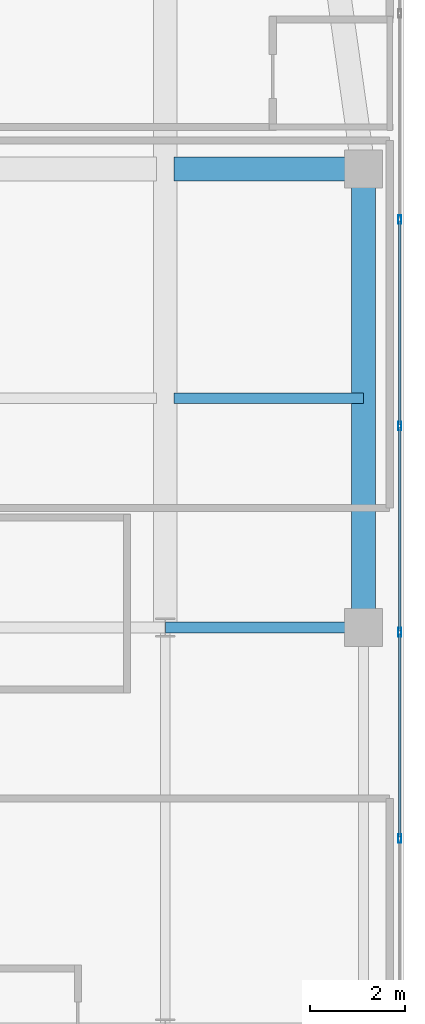
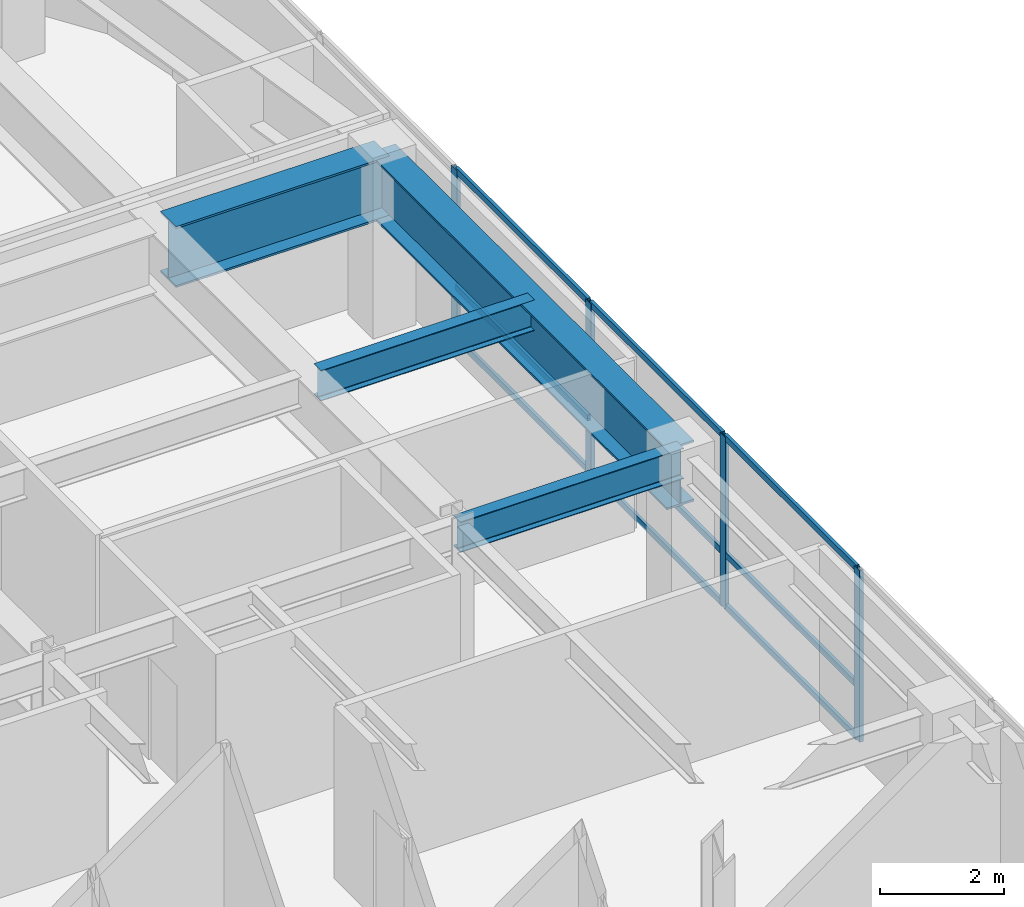
# One storey, part 8 of 20: 13 members, 4 beams, 1 element without a shape of its own.
"""IFC4 building model written with IfcOpenShell, lengths in metres."""

from ifc_helpers import new_model, si_unit, direction, frame, origin, origin_2d, place, context, subcontext, project, spatial, hollow_rectangle, i_section, extrude, source, transform, mapped, material, layer, layer_set, material_profile, profile_set, type_object, type_shapes, element, aggregate, save


model = new_model("IFC4")

# Units and contexts
model_context = context("Model", 3, precision=1e-05, world=origin(), true_north=direction((0.0, 1.0)))
body_context = subcontext(model_context, "Body", "Model", "MODEL_VIEW")
ifc_project = project(units=[si_unit("LENGTHUNIT", "METRE"), si_unit("AREAUNIT", "SQUARE_METRE"), si_unit("VOLUMEUNIT", "CUBIC_METRE"), si_unit("PLANEANGLEUNIT", "RADIAN"), si_unit("MASSUNIT", "GRAM", prefix="KILO")], contexts=[model_context])

# Site, building, storey
site_placement = place(None, origin())
site = spatial("IfcSite", under=ifc_project, at=site_placement, CompositionType="ELEMENT")
building_placement = place(site_placement, origin())
building = spatial("IfcBuilding", under=site, at=building_placement, Name="Tolvann Quenvar Hotel", CompositionType="ELEMENT")
storey_placement = place(building_placement, frame((0.0, 0.0, 171.89990234375)))
storey = spatial("IfcBuildingStorey", under=building, at=storey_placement, Name="L45", CompositionType="ELEMENT", Elevation=171.89990234375)

# Beams
ifc_material_1 = material(Name="Steel Grade 350", Category="steel")
ifc_material_profile_1 = material_profile(ifc_material_1, i_section(OverallWidth=0.5, OverallDepth=1.199951171875, WebThickness=0.01611328125, FlangeThickness=0.0400390625, at=origin_2d()), Name="1200WB455")
ifc_profile_set_1 = profile_set([ifc_material_profile_1], Name="Steel Grade 350")
beam_type_1 = type_object("IfcBeamType", Name="BM_TG_1200WB455", PredefinedType="USERDEFINED", material=ifc_profile_set_1)
shared_shape_1 = source(origin(), body_context, "Body", "SweptSolid", [
    extrude(i_section(OverallWidth=0.5, OverallDepth=1.199951171875, WebThickness=0.01611328125, FlangeThickness=0.0400390625, at=origin_2d()), origin(), (0.0, 0.0, 1.0), 9.60009765625),
])
beam_1_placement = place(storey_placement, frame((53.550048828125, 24.39990234375, 2.77001953125), z_axis=(0.0, 1.0, 0.0), x_axis=(-1.0, 0.0, 0.0)))
element("IfcBeam", 1, at=beam_1_placement, inside=storey, type_object=beam_type_1, Name="BM-L45-FLK-E1", ObjectType="TRANSFER GIRDER", PredefinedType="USERDEFINED", context=body_context, shape_type="MappedRepresentation", body=[
    mapped(shared_shape_1, transform((0.0, 0.0, 0.0), x_axis=(1.0, 0.0, 0.0), y_axis=(0.0, 1.0, 0.0), z_axis=(0.0, 0.0, 1.0), scale=1.0)),
])
shared_shape_2 = source(origin(), body_context, "Body", "SweptSolid", [
    extrude(i_section(OverallWidth=0.5, OverallDepth=1.199951171875, WebThickness=0.01611328125, FlangeThickness=0.0400390625, at=origin_2d()), origin(), (0.0, 0.0, 1.0), 3.969970703125),
])
type_shapes(beam_type_1, [shared_shape_1, shared_shape_2])
beam_2_placement = place(storey_placement, frame((49.580078125, 34.0, 2.77001953125), z_axis=(1.0, 0.0, 0.0), x_axis=(0.0, 1.0, 0.0)))
element("IfcBeam", 2, at=beam_2_placement, inside=storey, type_object=beam_type_1, Name="BM-L45-CTE-JD6C", ObjectType="TRANSFER GIRDER", PredefinedType="USERDEFINED", context=body_context, shape_type="MappedRepresentation", body=[
    mapped(shared_shape_2, transform((0.0, 0.0, 0.0), x_axis=(1.0, 0.0, 0.0), y_axis=(0.0, 1.0, 0.0), z_axis=(0.0, 0.0, 1.0), scale=1.0)),
])
ifc_material_profile_2 = material_profile(ifc_material_1, i_section(OverallWidth=0.22802734375, OverallDepth=0.60205078125, WebThickness=0.010498046875, FlangeThickness=0.014892578125, FilletRadius=0.013916015625, at=origin_2d()), Name="610UB101")
ifc_profile_set_2 = profile_set([ifc_material_profile_2], Name="Steel Grade 350")
beam_type_2 = type_object("IfcBeamType", Name="BM_GIRD_610UB101", PredefinedType="BEAM", material=ifc_profile_set_2)
shared_shape_3 = source(origin(), body_context, "Body", "SweptSolid", [
    extrude(i_section(OverallWidth=0.22802734375, OverallDepth=0.60205078125, WebThickness=0.010498046875, FlangeThickness=0.014892578125, FilletRadius=0.013916015625, at=origin_2d()), origin(), (0.0, 0.0, 1.0), 4.150146484375),
])
beam_3_placement = place(storey_placement, frame((49.39990234375, 24.39990234375, 3.069091796875), z_axis=(1.0, 0.0, 0.0), x_axis=(0.0, 1.0, 0.0)))
element("IfcBeam", 3, at=beam_3_placement, inside=storey, type_object=beam_type_2, Name="BM-L45-EW-5-I5-J5", PredefinedType="BEAM", context=body_context, shape_type="MappedRepresentation", body=[
    mapped(shared_shape_3, transform((0.0, 0.0, 0.0), x_axis=(1.0, 0.0, 0.0), y_axis=(0.0, 1.0, 0.0), z_axis=(0.0, 0.0, 1.0), scale=1.0)),
])
shared_shape_4 = source(origin(), body_context, "Body", "SweptSolid", [
    extrude(i_section(OverallWidth=0.22802734375, OverallDepth=0.60205078125, WebThickness=0.010498046875, FlangeThickness=0.014892578125, FilletRadius=0.013916015625, at=origin_2d()), origin(), (0.0, 0.0, 1.0), 3.969970703125),
])
type_shapes(beam_type_2, [shared_shape_3, shared_shape_4])
beam_4_placement = place(storey_placement, frame((49.580078125, 29.199951171875, 3.069091796875), z_axis=(1.0, 0.0, 0.0), x_axis=(0.0, 1.0, 0.0)))
element("IfcBeam", 4, at=beam_4_placement, inside=storey, type_object=beam_type_2, Name="BM-L45-EW-IJ29", PredefinedType="BEAM", context=body_context, shape_type="MappedRepresentation", body=[
    mapped(shared_shape_4, transform((0.0, 0.0, 0.0), x_axis=(1.0, 0.0, 0.0), y_axis=(0.0, 1.0, 0.0), z_axis=(0.0, 0.0, 1.0), scale=1.0)),
])

# Curtain wall, members
ifc_material_2 = material(Name="Thermally broken anodised architectural aluminium 6063-T6 and laminated low-E glass", Category="aluminium")
ifc_layer = layer(ifc_material_2, 0.179931640625)
ifc_layer_set = layer_set([ifc_layer], Name="Thermally broken anodised architectural aluminium 6063-T6 and laminated low-E glass")
curtain_wall_type = type_object("IfcCurtainWallType", Name="CW_SYS_BAND_04", PredefinedType="USERDEFINED", material=ifc_layer_set)
curtain_wall_placement = place(storey_placement, origin())
curtain_wall = element("IfcCurtainWall", 5, at=curtain_wall_placement, inside=storey, type_object=curtain_wall_type, Name="Curtain Wall CW-BAND-04 (CWR-L45-E13)", ObjectType="UNITISED CURTAIN WALL", PredefinedType="USERDEFINED")
ifc_material_3 = material(Name="Anodised architectural aluminium 6063-T6 framing", Category="aluminium")
ifc_material_profile_3 = material_profile(ifc_material_3, hollow_rectangle(XDim=0.070068359375, YDim=0.179931640625, WallThickness=0.00390625, at=origin_2d()), Name="180x70x4RHS")
ifc_profile_set_3 = profile_set([ifc_material_profile_3], Name="Anodised architectural aluminium 6063-T6 framing")
member_type_1 = type_object("IfcMemberType", Name="CW_MULL_180x70", PredefinedType="MULLION", material=ifc_profile_set_3)
shared_shape_5 = source(origin(), body_context, "Body", "SweptSolid", [
    extrude(hollow_rectangle(XDim=0.070068359375, YDim=0.179931640625, WallThickness=0.00390625, at=origin_2d()), origin(), (0.0, 0.0, 1.0), 3.3701171875),
])
type_shapes(member_type_1, [shared_shape_5])
member_1_placement = place(storey_placement, frame((54.31005859375, 19.979248046875, 0.0), z_axis=(0.0, 0.0, 1.0), x_axis=(-1.0, 0.0, 0.0)))
member_1 = element("IfcMember", 6, at=member_1_placement, type_object=member_type_1, Name="CW-BAND-04 mullion 4", PredefinedType="MULLION", context=body_context, shape_type="MappedRepresentation", body=[
    mapped(shared_shape_5, transform((0.0, 0.0, 0.0), x_axis=(1.0, 0.0, 0.0), y_axis=(0.0, 1.0, 0.0), z_axis=(0.0, 0.0, 1.0), scale=1.0)),
])
member_2_placement = place(storey_placement, frame((54.31005859375, 24.300048828125, 0.0), z_axis=(0.0, 0.0, 1.0), x_axis=(-1.0, 0.0, 0.0)))
member_2 = element("IfcMember", 7, at=member_2_placement, type_object=member_type_1, Name="CW-BAND-04 mullion 5", PredefinedType="MULLION", context=body_context, shape_type="MappedRepresentation", body=[
    mapped(shared_shape_5, transform((0.0, 0.0, 0.0), x_axis=(1.0, 0.0, 0.0), y_axis=(0.0, 1.0, 0.0), z_axis=(0.0, 0.0, 1.0), scale=1.0)),
])
member_3_placement = place(storey_placement, frame((54.31005859375, 28.62060546875, 0.0), z_axis=(0.0, 0.0, 1.0), x_axis=(-1.0, 0.0, 0.0)))
member_3 = element("IfcMember", 8, at=member_3_placement, type_object=member_type_1, Name="CW-BAND-04 mullion 6", PredefinedType="MULLION", context=body_context, shape_type="MappedRepresentation", body=[
    mapped(shared_shape_5, transform((0.0, 0.0, 0.0), x_axis=(1.0, 0.0, 0.0), y_axis=(0.0, 1.0, 0.0), z_axis=(0.0, 0.0, 1.0), scale=1.0)),
])
member_4_placement = place(storey_placement, frame((54.31005859375, 32.94140625, 0.0), z_axis=(0.0, 0.0, 1.0), x_axis=(-1.0, 0.0, 0.0)))
member_4 = element("IfcMember", 9, at=member_4_placement, type_object=member_type_1, Name="CW-BAND-04 mullion 7", PredefinedType="MULLION", context=body_context, shape_type="MappedRepresentation", body=[
    mapped(shared_shape_5, transform((0.0, 0.0, 0.0), x_axis=(1.0, 0.0, 0.0), y_axis=(0.0, 1.0, 0.0), z_axis=(0.0, 0.0, 1.0), scale=1.0)),
])
ifc_material_profile_4 = material_profile(ifc_material_3, hollow_rectangle(XDim=0.06005859375, YDim=0.1201171875, WallThickness=0.00341796875, at=origin_2d()), Name="120x60x3.5RHS")
ifc_profile_set_4 = profile_set([ifc_material_profile_4], Name="Anodised architectural aluminium 6063-T6 framing")
member_type_2 = type_object("IfcMemberType", Name="CW_TRAN_120x60", PredefinedType="USERDEFINED", material=ifc_profile_set_4)
shared_shape_6 = source(origin(), body_context, "Body", "SweptSolid", [
    extrude(hollow_rectangle(XDim=0.06005859375, YDim=0.1201171875, WallThickness=0.00341796875, at=origin_2d()), origin(), (0.0, 0.0, 1.0), 4.250732421875),
])
member_5_placement = place(storey_placement, frame((54.31005859375, 24.3349609375, 0.030029296875), z_axis=(0.0, 1.0, 0.0), x_axis=(-1.0, 0.0, 0.0)))
member_5 = element("IfcMember", 10, at=member_5_placement, type_object=member_type_2, Name="CW-BAND-04 transom 5.1", ObjectType="TRANSOM", PredefinedType="USERDEFINED", context=body_context, shape_type="MappedRepresentation", body=[
    mapped(shared_shape_6, transform((0.0, 0.0, 0.0), x_axis=(1.0, 0.0, 0.0), y_axis=(0.0, 1.0, 0.0), z_axis=(0.0, 0.0, 1.0), scale=1.0)),
])
member_6_placement = place(storey_placement, frame((54.31005859375, 24.3349609375, 1.050048828125), z_axis=(0.0, 1.0, 0.0), x_axis=(-1.0, 0.0, 0.0)))
member_6 = element("IfcMember", 11, at=member_6_placement, type_object=member_type_2, Name="CW-BAND-04 transom 5.2", ObjectType="TRANSOM", PredefinedType="USERDEFINED", context=body_context, shape_type="MappedRepresentation", body=[
    mapped(shared_shape_6, transform((0.0, 0.0, 0.0), x_axis=(1.0, 0.0, 0.0), y_axis=(0.0, 1.0, 0.0), z_axis=(0.0, 0.0, 1.0), scale=1.0)),
])
member_7_placement = place(storey_placement, frame((54.31005859375, 24.3349609375, 3.340087890625), z_axis=(0.0, 1.0, 0.0), x_axis=(-1.0, 0.0, 0.0)))
member_7 = element("IfcMember", 12, at=member_7_placement, type_object=member_type_2, Name="CW-BAND-04 transom 5.3", ObjectType="TRANSOM", PredefinedType="USERDEFINED", context=body_context, shape_type="MappedRepresentation", body=[
    mapped(shared_shape_6, transform((0.0, 0.0, 0.0), x_axis=(1.0, 0.0, 0.0), y_axis=(0.0, 1.0, 0.0), z_axis=(0.0, 0.0, 1.0), scale=1.0)),
])
member_8_placement = place(storey_placement, frame((54.31005859375, 28.65576171875, 0.030029296875), z_axis=(0.0, 1.0, 0.0), x_axis=(-1.0, 0.0, 0.0)))
member_8 = element("IfcMember", 13, at=member_8_placement, type_object=member_type_2, Name="CW-BAND-04 transom 6.1", ObjectType="TRANSOM", PredefinedType="USERDEFINED", context=body_context, shape_type="MappedRepresentation", body=[
    mapped(shared_shape_6, transform((0.0, 0.0, 0.0), x_axis=(1.0, 0.0, 0.0), y_axis=(0.0, 1.0, 0.0), z_axis=(0.0, 0.0, 1.0), scale=1.0)),
])
member_9_placement = place(storey_placement, frame((54.31005859375, 28.65576171875, 1.050048828125), z_axis=(0.0, 1.0, 0.0), x_axis=(-1.0, 0.0, 0.0)))
member_9 = element("IfcMember", 14, at=member_9_placement, type_object=member_type_2, Name="CW-BAND-04 transom 6.2", ObjectType="TRANSOM", PredefinedType="USERDEFINED", context=body_context, shape_type="MappedRepresentation", body=[
    mapped(shared_shape_6, transform((0.0, 0.0, 0.0), x_axis=(1.0, 0.0, 0.0), y_axis=(0.0, 1.0, 0.0), z_axis=(0.0, 0.0, 1.0), scale=1.0)),
])
member_10_placement = place(storey_placement, frame((54.31005859375, 28.65576171875, 3.340087890625), z_axis=(0.0, 1.0, 0.0), x_axis=(-1.0, 0.0, 0.0)))
member_10 = element("IfcMember", 15, at=member_10_placement, type_object=member_type_2, Name="CW-BAND-04 transom 6.3", ObjectType="TRANSOM", PredefinedType="USERDEFINED", context=body_context, shape_type="MappedRepresentation", body=[
    mapped(shared_shape_6, transform((0.0, 0.0, 0.0), x_axis=(1.0, 0.0, 0.0), y_axis=(0.0, 1.0, 0.0), z_axis=(0.0, 0.0, 1.0), scale=1.0)),
])
shared_shape_7 = source(origin(), body_context, "Body", "SweptSolid", [
    extrude(hollow_rectangle(XDim=0.06005859375, YDim=0.1201171875, WallThickness=0.00341796875, at=origin_2d()), origin(), (0.0, 0.0, 1.0), 4.25048828125),
])
type_shapes(member_type_2, [shared_shape_6, shared_shape_7])
member_11_placement = place(storey_placement, frame((54.31005859375, 20.014404296875, 0.030029296875), z_axis=(0.0, 1.0, 0.0), x_axis=(-1.0, 0.0, 0.0)))
member_11 = element("IfcMember", 16, at=member_11_placement, type_object=member_type_2, Name="CW-BAND-04 transom 4.1", ObjectType="TRANSOM", PredefinedType="USERDEFINED", context=body_context, shape_type="MappedRepresentation", body=[
    mapped(shared_shape_7, transform((0.0, 0.0, 0.0), x_axis=(1.0, 0.0, 0.0), y_axis=(0.0, 1.0, 0.0), z_axis=(0.0, 0.0, 1.0), scale=1.0)),
])
member_12_placement = place(storey_placement, frame((54.31005859375, 20.014404296875, 1.050048828125), z_axis=(0.0, 1.0, 0.0), x_axis=(-1.0, 0.0, 0.0)))
member_12 = element("IfcMember", 17, at=member_12_placement, type_object=member_type_2, Name="CW-BAND-04 transom 4.2", ObjectType="TRANSOM", PredefinedType="USERDEFINED", context=body_context, shape_type="MappedRepresentation", body=[
    mapped(shared_shape_7, transform((0.0, 0.0, 0.0), x_axis=(1.0, 0.0, 0.0), y_axis=(0.0, 1.0, 0.0), z_axis=(0.0, 0.0, 1.0), scale=1.0)),
])
member_13_placement = place(storey_placement, frame((54.31005859375, 20.014404296875, 3.340087890625), z_axis=(0.0, 1.0, 0.0), x_axis=(-1.0, 0.0, 0.0)))
member_13 = element("IfcMember", 18, at=member_13_placement, type_object=member_type_2, Name="CW-BAND-04 transom 4.3", ObjectType="TRANSOM", PredefinedType="USERDEFINED", context=body_context, shape_type="MappedRepresentation", body=[
    mapped(shared_shape_7, transform((0.0, 0.0, 0.0), x_axis=(1.0, 0.0, 0.0), y_axis=(0.0, 1.0, 0.0), z_axis=(0.0, 0.0, 1.0), scale=1.0)),
])
aggregate(curtain_wall, [member_1, member_2, member_3, member_4, member_11, member_12, member_13, member_5, member_6, member_7, member_8, member_9, member_10])

save(model, "model.ifc")
